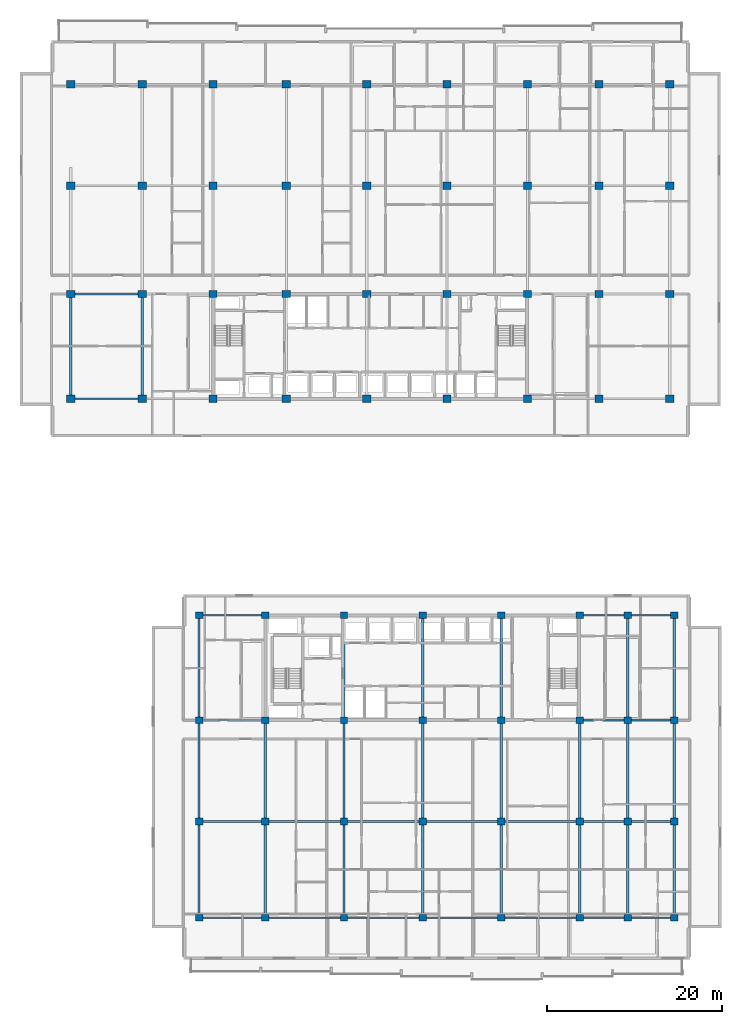
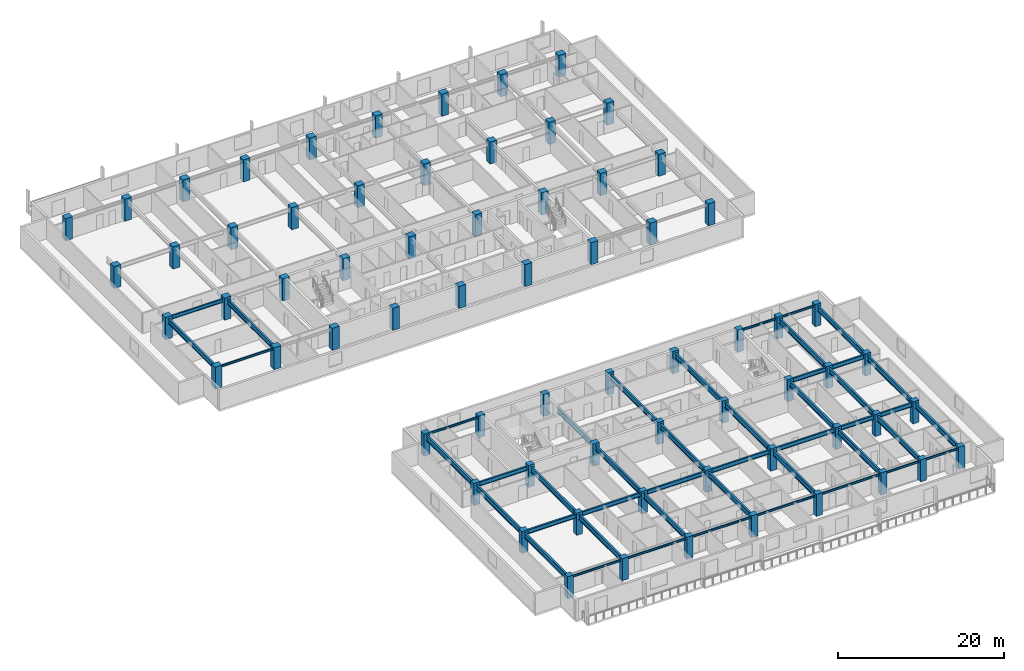
# One storey, part 1 of 22: 68 columns, 46 beams.
"""IFC4 building model written with IfcOpenShell, lengths in metres."""

from ifc_helpers import new_model, si_unit, direction, frame, origin, origin_2d, place, context, subcontext, project, spatial, rectangle, i_section, extrude, material, material_profile, profile_set, type_object, element, save


model = new_model("IFC4")

# Units and contexts
model_context = context("Model", 3, precision=1e-05, world=origin(), true_north=direction((0.0, 1.0)))
body_context = subcontext(model_context, "Body", "Model", "MODEL_VIEW")
ifc_project = project(units=[si_unit("LENGTHUNIT", "METRE"), si_unit("AREAUNIT", "SQUARE_METRE"), si_unit("VOLUMEUNIT", "CUBIC_METRE"), si_unit("PLANEANGLEUNIT", "RADIAN"), si_unit("MASSUNIT", "GRAM", prefix="KILO")], contexts=[model_context])

# Site, building, storey
site_placement = place(None, origin())
site = spatial("IfcSite", under=ifc_project, at=site_placement, CompositionType="ELEMENT")
building_placement = place(site_placement, origin())
building = spatial("IfcBuilding", under=site, at=building_placement, Name="Korimba Cascade Residences", CompositionType="ELEMENT")
storey_placement = place(building_placement, frame((0.0, 0.0, 90.550048828125)))
storey = spatial("IfcBuildingStorey", under=building, at=storey_placement, Name="L25", CompositionType="ELEMENT", Elevation=90.550048828125)

# Columns
ifc_material_1 = material(Name="Concrete C65/80", Category="concrete")
ifc_material_profile_1 = material_profile(ifc_material_1, rectangle(XDim=0.85009765625, YDim=0.75, at=origin_2d()), Name="Concrete C65/80")
ifc_profile_set_1 = profile_set([ifc_material_profile_1], Name="Concrete C65/80")
column_type_1 = type_object("IfcColumnType", Name="COL-RC-850", PredefinedType="COLUMN", material=ifc_profile_set_1)
for number, where, z_axis, x_axis, name in (
    (1, (74.5, -4.199951171875, 0.0), (0.0, 0.0, 1.0), (1.0, 0.0, 0.0), "L25 Tower 2 Column 1.1"),
    (2, (74.5, 6.800048828125, 0.0), (0.0, 0.0, 1.0), (1.0, 0.0, 0.0), "L25 Tower 2 Column 1.2"),
    (3, (74.5, 18.39990234375, 0.0), (0.0, 0.0, 1.0), (1.0, 0.0, 0.0), "L25 Tower 2 Column 1.3"),
    (4, (74.5, 30.39990234375, 0.0), (0.0, 0.0, 1.0), (1.0, 0.0, 0.0), "L25 Tower 2 Column 1.4"),
    (5, (82.10009765625, -4.199951171875, 0.0), (0.0, 0.0, 1.0), (1.0, 0.0, 0.0), "L25 Tower 2 Column 2.1"),
    (6, (82.10009765625, 6.800048828125, 0.0), (0.0, 0.0, 1.0), (1.0, 0.0, 0.0), "L25 Tower 2 Column 2.2"),
    (7, (82.10009765625, 18.39990234375, 0.0), (0.0, 0.0, 1.0), (1.0, 0.0, 0.0), "L25 Tower 2 Column 2.3"),
    (8, (82.10009765625, 30.39990234375, 0.0), (0.0, 0.0, 1.0), (1.0, 0.0, 0.0), "L25 Tower 2 Column 2.4"),
    (9, (91.10009765625, -4.199951171875, 0.0), (0.0, 0.0, 1.0), (1.0, 0.0, 0.0), "L25 Tower 2 Column 3.1"),
    (10, (91.10009765625, 6.800048828125, 0.0), (0.0, 0.0, 1.0), (1.0, 0.0, 0.0), "L25 Tower 2 Column 3.2"),
    (11, (91.10009765625, 18.39990234375, 0.0), (0.0, 0.0, 1.0), (1.0, 0.0, 0.0), "L25 Tower 2 Column 3.3"),
    (12, (91.10009765625, 30.39990234375, 0.0), (0.0, 0.0, 1.0), (1.0, 0.0, 0.0), "L25 Tower 2 Column 3.4"),
    (13, (100.10009765625, -4.199951171875, 0.0), (0.0, 0.0, 1.0), (1.0, 0.0, 0.0), "L25 Tower 2 Column 4.1"),
    (14, (100.10009765625, 6.800048828125, 0.0), (0.0, 0.0, 1.0), (1.0, 0.0, 0.0), "L25 Tower 2 Column 4.2"),
    (15, (100.10009765625, 18.39990234375, 0.0), (0.0, 0.0, 1.0), (1.0, 0.0, 0.0), "L25 Tower 2 Column 4.3"),
    (16, (100.10009765625, 30.39990234375, 0.0), (0.0, 0.0, 1.0), (1.0, 0.0, 0.0), "L25 Tower 2 Column 4.4"),
    (17, (109.10009765625, -4.199951171875, 0.0), (0.0, 0.0, 1.0), (1.0, 0.0, 0.0), "L25 Tower 2 Column 5.1"),
    (18, (109.10009765625, 6.800048828125, 0.0), (0.0, 0.0, 1.0), (1.0, 0.0, 0.0), "L25 Tower 2 Column 5.2"),
    (19, (109.10009765625, 18.39990234375, 0.0), (0.0, 0.0, 1.0), (1.0, 0.0, 0.0), "L25 Tower 2 Column 5.3"),
    (20, (109.10009765625, 30.39990234375, 0.0), (0.0, 0.0, 1.0), (1.0, 0.0, 0.0), "L25 Tower 2 Column 5.4"),
    (21, (118.10009765625, -4.199951171875, 0.0), (0.0, 0.0, 1.0), (1.0, 0.0, 0.0), "L25 Tower 2 Column 6.1"),
    (22, (118.10009765625, 6.800048828125, 0.0), (0.0, 0.0, 1.0), (1.0, 0.0, 0.0), "L25 Tower 2 Column 6.2"),
    (23, (118.10009765625, 18.39990234375, 0.0), (0.0, 0.0, 1.0), (1.0, 0.0, 0.0), "L25 Tower 2 Column 6.3"),
    (24, (118.10009765625, 30.39990234375, 0.0), (0.0, 0.0, 1.0), (1.0, 0.0, 0.0), "L25 Tower 2 Column 6.4"),
    (25, (123.60009765625, -4.199951171875, 0.0), (0.0, 0.0, 1.0), (1.0, 0.0, 0.0), "L25 Tower 2 Column 7.1"),
    (26, (123.60009765625, 6.800048828125, 0.0), (0.0, 0.0, 1.0), (1.0, 0.0, 0.0), "L25 Tower 2 Column 7.2"),
    (27, (123.60009765625, 18.39990234375, 0.0), (0.0, 0.0, 1.0), (1.0, 0.0, 0.0), "L25 Tower 2 Column 7.3"),
    (28, (123.60009765625, 30.39990234375, 0.0), (0.0, 0.0, 1.0), (1.0, 0.0, 0.0), "L25 Tower 2 Column 7.4"),
    (29, (128.89990234375, -4.199951171875, 0.0), (0.0, 0.0, 1.0), (1.0, 0.0, 0.0), "L25 Tower 2 Column 8.1"),
    (30, (128.89990234375, 6.800048828125, 0.0), (0.0, 0.0, 1.0), (1.0, 0.0, 0.0), "L25 Tower 2 Column 8.2"),
    (31, (128.89990234375, 18.39990234375, 0.0), (0.0, 0.0, 1.0), (1.0, 0.0, 0.0), "L25 Tower 2 Column 8.3"),
    (32, (128.89990234375, 30.39990234375, 0.0), (0.0, 0.0, 1.0), (1.0, 0.0, 0.0), "L25 Tower 2 Column 8.4"),
):
    element("IfcColumn", number, at=place(storey_placement, frame(where, z_axis=z_axis, x_axis=x_axis)), inside=storey, type_object=column_type_1, Name=name, PredefinedType="COLUMN", context=body_context, shape_type="SweptSolid", body=[
        extrude(rectangle(XDim=0.85009765625, YDim=0.75, at=origin_2d()), origin(), (0.0, 0.0, 1.0), 3.25),
    ])
ifc_material_profile_2 = material_profile(ifc_material_1, rectangle(XDim=0.949951171875, YDim=0.85009765625, at=origin_2d()), Name="Concrete C65/80")
ifc_profile_set_2 = profile_set([ifc_material_profile_2], Name="Concrete C65/80")
column_type_2 = type_object("IfcColumnType", Name="COL-RC-950", PredefinedType="COLUMN", material=ifc_profile_set_2)
for number, where, z_axis, x_axis, name in (
    (33, (59.800048828125, 55.199951171875, 0.0), (0.0, 0.0, 1.0), (1.0, 0.0, 0.0), "L25 Tower 1 Column 1.1"),
    (34, (59.800048828125, 67.199951171875, 0.0), (0.0, 0.0, 1.0), (1.0, 0.0, 0.0), "L25 Tower 1 Column 1.2"),
    (35, (59.800048828125, 79.60009765625, 0.0), (0.0, 0.0, 1.0), (1.0, 0.0, 0.0), "L25 Tower 1 Column 1.3"),
    (36, (59.800048828125, 91.199951171875, 0.0), (0.0, 0.0, 1.0), (1.0, 0.0, 0.0), "L25 Tower 1 Column 1.4"),
    (37, (68.0, 55.199951171875, 0.0), (0.0, 0.0, 1.0), (1.0, 0.0, 0.0), "L25 Tower 1 Column 2.1"),
    (38, (68.0, 67.199951171875, 0.0), (0.0, 0.0, 1.0), (1.0, 0.0, 0.0), "L25 Tower 1 Column 2.2"),
    (39, (68.0, 79.60009765625, 0.0), (0.0, 0.0, 1.0), (1.0, 0.0, 0.0), "L25 Tower 1 Column 2.3"),
    (40, (68.0, 91.199951171875, 0.0), (0.0, 0.0, 1.0), (1.0, 0.0, 0.0), "L25 Tower 1 Column 2.4"),
    (41, (76.10009765625, 55.199951171875, 0.0), (0.0, 0.0, 1.0), (1.0, 0.0, 0.0), "L25 Tower 1 Column 3.1"),
    (42, (76.10009765625, 67.199951171875, 0.0), (0.0, 0.0, 1.0), (1.0, 0.0, 0.0), "L25 Tower 1 Column 3.2"),
    (43, (76.10009765625, 79.60009765625, 0.0), (0.0, 0.0, 1.0), (1.0, 0.0, 0.0), "L25 Tower 1 Column 3.3"),
    (44, (76.10009765625, 91.199951171875, 0.0), (0.0, 0.0, 1.0), (1.0, 0.0, 0.0), "L25 Tower 1 Column 3.4"),
    (45, (84.5, 55.199951171875, 0.0), (0.0, 0.0, 1.0), (1.0, 0.0, 0.0), "L25 Tower 1 Column 4.1"),
    (46, (84.5, 67.199951171875, 0.0), (0.0, 0.0, 1.0), (1.0, 0.0, 0.0), "L25 Tower 1 Column 4.2"),
    (47, (84.5, 79.60009765625, 0.0), (0.0, 0.0, 1.0), (1.0, 0.0, 0.0), "L25 Tower 1 Column 4.3"),
    (48, (84.5, 91.199951171875, 0.0), (0.0, 0.0, 1.0), (1.0, 0.0, 0.0), "L25 Tower 1 Column 4.4"),
    (49, (93.699951171875, 55.199951171875, 0.0), (0.0, 0.0, 1.0), (1.0, 0.0, 0.0), "L25 Tower 1 Column 5.1"),
    (50, (93.699951171875, 67.199951171875, 0.0), (0.0, 0.0, 1.0), (1.0, 0.0, 0.0), "L25 Tower 1 Column 5.2"),
    (51, (93.699951171875, 79.60009765625, 0.0), (0.0, 0.0, 1.0), (1.0, 0.0, 0.0), "L25 Tower 1 Column 5.3"),
    (52, (93.699951171875, 91.199951171875, 0.0), (0.0, 0.0, 1.0), (1.0, 0.0, 0.0), "L25 Tower 1 Column 5.4"),
    (53, (102.89990234375, 55.199951171875, 0.0), (0.0, 0.0, 1.0), (1.0, 0.0, 0.0), "L25 Tower 1 Column 6.1"),
    (54, (102.89990234375, 67.199951171875, 0.0), (0.0, 0.0, 1.0), (1.0, 0.0, 0.0), "L25 Tower 1 Column 6.2"),
    (55, (102.89990234375, 79.60009765625, 0.0), (0.0, 0.0, 1.0), (1.0, 0.0, 0.0), "L25 Tower 1 Column 6.3"),
    (56, (102.89990234375, 91.199951171875, 0.0), (0.0, 0.0, 1.0), (1.0, 0.0, 0.0), "L25 Tower 1 Column 6.4"),
    (57, (112.10009765625, 55.199951171875, 0.0), (0.0, 0.0, 1.0), (1.0, 0.0, 0.0), "L25 Tower 1 Column 7.1"),
    (58, (112.10009765625, 67.199951171875, 0.0), (0.0, 0.0, 1.0), (1.0, 0.0, 0.0), "L25 Tower 1 Column 7.2"),
    (59, (112.10009765625, 79.60009765625, 0.0), (0.0, 0.0, 1.0), (1.0, 0.0, 0.0), "L25 Tower 1 Column 7.3"),
    (60, (112.10009765625, 91.199951171875, 0.0), (0.0, 0.0, 1.0), (1.0, 0.0, 0.0), "L25 Tower 1 Column 7.4"),
    (61, (120.300048828125, 55.199951171875, 0.0), (0.0, 0.0, 1.0), (1.0, 0.0, 0.0), "L25 Tower 1 Column 8.1"),
    (62, (120.300048828125, 67.199951171875, 0.0), (0.0, 0.0, 1.0), (1.0, 0.0, 0.0), "L25 Tower 1 Column 8.2"),
    (63, (120.300048828125, 79.60009765625, 0.0), (0.0, 0.0, 1.0), (1.0, 0.0, 0.0), "L25 Tower 1 Column 8.3"),
    (64, (120.300048828125, 91.199951171875, 0.0), (0.0, 0.0, 1.0), (1.0, 0.0, 0.0), "L25 Tower 1 Column 8.4"),
    (65, (128.39990234375, 55.199951171875, 0.0), (0.0, 0.0, 1.0), (1.0, 0.0, 0.0), "L25 Tower 1 Column 9.1"),
    (66, (128.39990234375, 67.199951171875, 0.0), (0.0, 0.0, 1.0), (1.0, 0.0, 0.0), "L25 Tower 1 Column 9.2"),
    (67, (128.39990234375, 79.60009765625, 0.0), (0.0, 0.0, 1.0), (1.0, 0.0, 0.0), "L25 Tower 1 Column 9.3"),
    (68, (128.39990234375, 91.199951171875, 0.0), (0.0, 0.0, 1.0), (1.0, 0.0, 0.0), "L25 Tower 1 Column 9.4"),
):
    element("IfcColumn", number, at=place(storey_placement, frame(where, z_axis=z_axis, x_axis=x_axis)), inside=storey, type_object=column_type_2, Name=name, PredefinedType="COLUMN", context=body_context, shape_type="SweptSolid", body=[
        extrude(rectangle(XDim=0.949951171875, YDim=0.85009765625, at=origin_2d()), origin(), (0.0, 0.0, 1.0), 3.25),
    ])

# Beams
ifc_material_2 = material(Name="Steel S355", Category="steel")
ifc_material_profile_3 = material_profile(ifc_material_2, i_section(OverallWidth=0.165771484375, OverallDepth=0.306640625, WebThickness=0.006591796875, FlangeThickness=0.01171875, FilletRadius=0.0087890625, at=origin_2d()), Name="Steel S355")
ifc_profile_set_3 = profile_set([ifc_material_profile_3], Name="Steel S355")
beam_type_1 = type_object("IfcBeamType", Name="BM-STL-UB305", PredefinedType="SPANDREL", material=ifc_profile_set_3)
beam_1_placement = place(storey_placement, frame((60.27490234375, 55.199951171875, 2.816650390625), z_axis=(1.0, 0.0, 0.0), x_axis=(0.0, 1.0, 0.0)))
element("IfcBeam", 69, at=beam_1_placement, inside=storey, type_object=beam_type_1, Name="L25 T1 E-W Girder Y1 Bay 1", PredefinedType="SPANDREL", context=body_context, shape_type="SweptSolid", body=[
    extrude(i_section(OverallWidth=0.165771484375, OverallDepth=0.306640625, WebThickness=0.006591796875, FlangeThickness=0.01171875, FilletRadius=0.0087890625, at=origin_2d()), origin(), (0.0, 0.0, 1.0), 7.25),
])
beam_2_placement = place(storey_placement, frame((74.925048828125, -4.199951171875, 2.816650390625), z_axis=(1.0, 0.0, 0.0), x_axis=(0.0, 1.0, 0.0)))
element("IfcBeam", 70, at=beam_2_placement, inside=storey, type_object=beam_type_1, Name="L25 T2 E-W Girder Y1 Bay 1", PredefinedType="SPANDREL", context=body_context, shape_type="SweptSolid", body=[
    extrude(i_section(OverallWidth=0.165771484375, OverallDepth=0.306640625, WebThickness=0.006591796875, FlangeThickness=0.01171875, FilletRadius=0.0087890625, at=origin_2d()), origin(), (0.0, 0.0, 1.0), 6.75),
])
for number, where, z_axis, x_axis, name in (
    (71, (82.52490234375, -4.199951171875, 2.816650390625), (1.0, 0.0, 0.0), (0.0, 1.0, 0.0), "L25 T2 E-W Girder Y1 Bay 2"),
    (72, (91.52490234375, -4.199951171875, 2.816650390625), (1.0, 0.0, 0.0), (0.0, 1.0, 0.0), "L25 T2 E-W Girder Y1 Bay 3"),
    (73, (100.52490234375, -4.199951171875, 2.816650390625), (1.0, 0.0, 0.0), (0.0, 1.0, 0.0), "L25 T2 E-W Girder Y1 Bay 4"),
    (74, (109.52490234375, -4.199951171875, 2.816650390625), (1.0, 0.0, 0.0), (0.0, 1.0, 0.0), "L25 T2 E-W Girder Y1 Bay 5"),
):
    element("IfcBeam", number, at=place(storey_placement, frame(where, z_axis=z_axis, x_axis=x_axis)), inside=storey, type_object=beam_type_1, Name=name, PredefinedType="SPANDREL", context=body_context, shape_type="SweptSolid", body=[
        extrude(i_section(OverallWidth=0.165771484375, OverallDepth=0.306640625, WebThickness=0.006591796875, FlangeThickness=0.01171875, FilletRadius=0.0087890625, at=origin_2d()), origin(), (0.0, 0.0, 1.0), 8.150146484375),
    ])
beam_3_placement = place(storey_placement, frame((118.52490234375, -4.199951171875, 2.816650390625), z_axis=(1.0, 0.0, 0.0), x_axis=(0.0, 1.0, 0.0)))
element("IfcBeam", 75, at=beam_3_placement, inside=storey, type_object=beam_type_1, Name="L25 T2 E-W Girder Y1 Bay 6", PredefinedType="SPANDREL", context=body_context, shape_type="SweptSolid", body=[
    extrude(i_section(OverallWidth=0.165771484375, OverallDepth=0.306640625, WebThickness=0.006591796875, FlangeThickness=0.01171875, FilletRadius=0.0087890625, at=origin_2d()), origin(), (0.0, 0.0, 1.0), 4.650146484375),
])
beam_4_placement = place(storey_placement, frame((124.02490234375, -4.199951171875, 2.816650390625), z_axis=(1.0, 0.0, 0.0), x_axis=(0.0, 1.0, 0.0)))
element("IfcBeam", 76, at=beam_4_placement, inside=storey, type_object=beam_type_1, Name="L25 T2 E-W Girder Y1 Bay 7", PredefinedType="SPANDREL", context=body_context, shape_type="SweptSolid", body=[
    extrude(i_section(OverallWidth=0.165771484375, OverallDepth=0.306640625, WebThickness=0.006591796875, FlangeThickness=0.01171875, FilletRadius=0.0087890625, at=origin_2d()), origin(), (0.0, 0.0, 1.0), 4.4501953125),
])
beam_5_placement = place(storey_placement, frame((74.925048828125, 30.39990234375, 2.816650390625), z_axis=(1.0, 0.0, 0.0), x_axis=(0.0, 1.0, 0.0)))
element("IfcBeam", 77, at=beam_5_placement, inside=storey, type_object=beam_type_1, Name="L25 T2 E-W Girder Y4 Bay 1", PredefinedType="SPANDREL", context=body_context, shape_type="SweptSolid", body=[
    extrude(i_section(OverallWidth=0.165771484375, OverallDepth=0.306640625, WebThickness=0.006591796875, FlangeThickness=0.01171875, FilletRadius=0.0087890625, at=origin_2d()), origin(), (0.0, 0.0, 1.0), 6.75),
])
beam_6_placement = place(storey_placement, frame((118.52490234375, 30.39990234375, 2.816650390625), z_axis=(1.0, 0.0, 0.0), x_axis=(0.0, 1.0, 0.0)))
element("IfcBeam", 78, at=beam_6_placement, inside=storey, type_object=beam_type_1, Name="L25 T2 E-W Girder Y4 Bay 6", PredefinedType="SPANDREL", context=body_context, shape_type="SweptSolid", body=[
    extrude(i_section(OverallWidth=0.165771484375, OverallDepth=0.306640625, WebThickness=0.006591796875, FlangeThickness=0.01171875, FilletRadius=0.0087890625, at=origin_2d()), origin(), (0.0, 0.0, 1.0), 4.650146484375),
])
beam_7_placement = place(storey_placement, frame((124.02490234375, 30.39990234375, 2.816650390625), z_axis=(1.0, 0.0, 0.0), x_axis=(0.0, 1.0, 0.0)))
element("IfcBeam", 79, at=beam_7_placement, inside=storey, type_object=beam_type_1, Name="L25 T2 E-W Girder Y4 Bay 7", PredefinedType="SPANDREL", context=body_context, shape_type="SweptSolid", body=[
    extrude(i_section(OverallWidth=0.165771484375, OverallDepth=0.306640625, WebThickness=0.006591796875, FlangeThickness=0.01171875, FilletRadius=0.0087890625, at=origin_2d()), origin(), (0.0, 0.0, 1.0), 4.4501953125),
])
ifc_material_profile_4 = material_profile(ifc_material_2, i_section(OverallWidth=0.2099609375, OverallDepth=0.53662109375, WebThickness=0.0107421875, FlangeThickness=0.017333984375, FilletRadius=0.0126953125, at=origin_2d()), Name="Steel S355")
ifc_profile_set_4 = profile_set([ifc_material_profile_4], Name="Steel S355")
beam_type_2 = type_object("IfcBeamType", Name="BM-STL-UB533", PredefinedType="BEAM", material=ifc_profile_set_4)
beam_8_placement = place(storey_placement, frame((60.27490234375, 67.199951171875, 2.70166015625), z_axis=(1.0, 0.0, 0.0), x_axis=(0.0, 1.0, 0.0)))
element("IfcBeam", 80, at=beam_8_placement, inside=storey, type_object=beam_type_2, Name="L25 T1 E-W Girder Y2 Bay 1", PredefinedType="BEAM", context=body_context, shape_type="SweptSolid", body=[
    extrude(i_section(OverallWidth=0.2099609375, OverallDepth=0.53662109375, WebThickness=0.0107421875, FlangeThickness=0.017333984375, FilletRadius=0.0126953125, at=origin_2d()), origin(), (0.0, 0.0, 1.0), 7.25),
])
ifc_material_profile_5 = material_profile(ifc_material_2, i_section(OverallWidth=0.22900390625, OverallDepth=0.6123046875, WebThickness=0.011962890625, FlangeThickness=0.01953125, FilletRadius=0.0126953125, at=origin_2d()), Name="Steel S355")
ifc_profile_set_5 = profile_set([ifc_material_profile_5], Name="Steel S355")
beam_type_3 = type_object("IfcBeamType", Name="BM-STL-UB610B", PredefinedType="BEAM", material=ifc_profile_set_5)
beam_9_placement = place(storey_placement, frame((74.925048828125, 6.800048828125, 2.663818359375), z_axis=(1.0, 0.0, 0.0), x_axis=(0.0, 1.0, 0.0)))
element("IfcBeam", 81, at=beam_9_placement, inside=storey, type_object=beam_type_3, Name="L25 T2 E-W Girder Y2 Bay 1", PredefinedType="BEAM", context=body_context, shape_type="SweptSolid", body=[
    extrude(i_section(OverallWidth=0.22900390625, OverallDepth=0.6123046875, WebThickness=0.011962890625, FlangeThickness=0.01953125, FilletRadius=0.0126953125, at=origin_2d()), origin(), (0.0, 0.0, 1.0), 6.75),
])
for number, where, z_axis, x_axis, name in (
    (82, (82.52490234375, 6.800048828125, 2.663818359375), (1.0, 0.0, 0.0), (0.0, 1.0, 0.0), "L25 T2 E-W Girder Y2 Bay 2"),
    (83, (91.52490234375, 6.800048828125, 2.663818359375), (1.0, 0.0, 0.0), (0.0, 1.0, 0.0), "L25 T2 E-W Girder Y2 Bay 3"),
    (84, (100.52490234375, 6.800048828125, 2.663818359375), (1.0, 0.0, 0.0), (0.0, 1.0, 0.0), "L25 T2 E-W Girder Y2 Bay 4"),
    (85, (109.52490234375, 6.800048828125, 2.663818359375), (1.0, 0.0, 0.0), (0.0, 1.0, 0.0), "L25 T2 E-W Girder Y2 Bay 5"),
):
    element("IfcBeam", number, at=place(storey_placement, frame(where, z_axis=z_axis, x_axis=x_axis)), inside=storey, type_object=beam_type_3, Name=name, PredefinedType="BEAM", context=body_context, shape_type="SweptSolid", body=[
        extrude(i_section(OverallWidth=0.22900390625, OverallDepth=0.6123046875, WebThickness=0.011962890625, FlangeThickness=0.01953125, FilletRadius=0.0126953125, at=origin_2d()), origin(), (0.0, 0.0, 1.0), 8.150146484375),
    ])
beam_10_placement = place(storey_placement, frame((118.52490234375, 6.800048828125, 2.663818359375), z_axis=(1.0, 0.0, 0.0), x_axis=(0.0, 1.0, 0.0)))
element("IfcBeam", 86, at=beam_10_placement, inside=storey, type_object=beam_type_3, Name="L25 T2 E-W Girder Y2 Bay 6", PredefinedType="BEAM", context=body_context, shape_type="SweptSolid", body=[
    extrude(i_section(OverallWidth=0.22900390625, OverallDepth=0.6123046875, WebThickness=0.011962890625, FlangeThickness=0.01953125, FilletRadius=0.0126953125, at=origin_2d()), origin(), (0.0, 0.0, 1.0), 4.650146484375),
])
beam_11_placement = place(storey_placement, frame((124.02490234375, 6.800048828125, 2.663818359375), z_axis=(1.0, 0.0, 0.0), x_axis=(0.0, 1.0, 0.0)))
element("IfcBeam", 87, at=beam_11_placement, inside=storey, type_object=beam_type_3, Name="L25 T2 E-W Girder Y2 Bay 7", PredefinedType="BEAM", context=body_context, shape_type="SweptSolid", body=[
    extrude(i_section(OverallWidth=0.22900390625, OverallDepth=0.6123046875, WebThickness=0.011962890625, FlangeThickness=0.01953125, FilletRadius=0.0126953125, at=origin_2d()), origin(), (0.0, 0.0, 1.0), 4.4501953125),
])
beam_12_placement = place(storey_placement, frame((74.925048828125, 18.39990234375, 2.663818359375), z_axis=(1.0, 0.0, 0.0), x_axis=(0.0, 1.0, 0.0)))
element("IfcBeam", 88, at=beam_12_placement, inside=storey, type_object=beam_type_3, Name="L25 T2 E-W Girder Y3 Bay 1", PredefinedType="BEAM", context=body_context, shape_type="SweptSolid", body=[
    extrude(i_section(OverallWidth=0.22900390625, OverallDepth=0.6123046875, WebThickness=0.011962890625, FlangeThickness=0.01953125, FilletRadius=0.0126953125, at=origin_2d()), origin(), (0.0, 0.0, 1.0), 6.75),
])
beam_13_placement = place(storey_placement, frame((118.52490234375, 18.39990234375, 2.663818359375), z_axis=(1.0, 0.0, 0.0), x_axis=(0.0, 1.0, 0.0)))
element("IfcBeam", 89, at=beam_13_placement, inside=storey, type_object=beam_type_3, Name="L25 T2 E-W Girder Y3 Bay 6", PredefinedType="BEAM", context=body_context, shape_type="SweptSolid", body=[
    extrude(i_section(OverallWidth=0.22900390625, OverallDepth=0.6123046875, WebThickness=0.011962890625, FlangeThickness=0.01953125, FilletRadius=0.0126953125, at=origin_2d()), origin(), (0.0, 0.0, 1.0), 4.650146484375),
])
beam_14_placement = place(storey_placement, frame((124.02490234375, 18.39990234375, 2.663818359375), z_axis=(1.0, 0.0, 0.0), x_axis=(0.0, 1.0, 0.0)))
element("IfcBeam", 90, at=beam_14_placement, inside=storey, type_object=beam_type_3, Name="L25 T2 E-W Girder Y3 Bay 7", PredefinedType="BEAM", context=body_context, shape_type="SweptSolid", body=[
    extrude(i_section(OverallWidth=0.22900390625, OverallDepth=0.6123046875, WebThickness=0.011962890625, FlangeThickness=0.01953125, FilletRadius=0.0126953125, at=origin_2d()), origin(), (0.0, 0.0, 1.0), 4.4501953125),
])
ifc_material_profile_6 = material_profile(ifc_material_2, i_section(OverallWidth=0.255859375, OverallDepth=0.69287109375, WebThickness=0.014404296875, FlangeThickness=0.023681640625, FilletRadius=0.01513671875, at=origin_2d()), Name="Steel S355")
ifc_profile_set_6 = profile_set([ifc_material_profile_6], Name="Steel S355")
beam_type_4 = type_object("IfcBeamType", Name="BM-STL-UB686", PredefinedType="BEAM", material=ifc_profile_set_6)
for number, where, z_axis, x_axis, name in (
    (91, (59.800048828125, 55.625, 2.62353515625), (0.0, 1.0, 0.0), (-1.0, 0.0, 0.0), "L25 T1 N-S Girder X1 Seg 1"),
    (92, (68.0, 55.625, 2.62353515625), (0.0, 1.0, 0.0), (-1.0, 0.0, 0.0), "L25 T1 N-S Girder X2 Seg 1"),
):
    element("IfcBeam", number, at=place(storey_placement, frame(where, z_axis=z_axis, x_axis=x_axis)), inside=storey, type_object=beam_type_4, Name=name, PredefinedType="BEAM", context=body_context, shape_type="SweptSolid", body=[
        extrude(i_section(OverallWidth=0.255859375, OverallDepth=0.69287109375, WebThickness=0.014404296875, FlangeThickness=0.023681640625, FilletRadius=0.01513671875, at=origin_2d()), origin(), (0.0, 0.0, 1.0), 11.14990234375),
    ])
ifc_material_profile_7 = material_profile(ifc_material_2, i_section(OverallWidth=0.26806640625, OverallDepth=0.769775390625, WebThickness=0.015625, FlangeThickness=0.025390625, FilletRadius=0.0166015625, at=origin_2d()), Name="Steel S355")
ifc_profile_set_7 = profile_set([ifc_material_profile_7], Name="Steel S355")
beam_type_5 = type_object("IfcBeamType", Name="BM-STL-UB762", PredefinedType="BEAM", material=ifc_profile_set_7)
beam_15_placement = place(storey_placement, frame((74.5, -3.824951171875, 2.5849609375), z_axis=(0.0, 1.0, 0.0), x_axis=(-1.0, 0.0, 0.0)))
element("IfcBeam", 93, at=beam_15_placement, inside=storey, type_object=beam_type_5, Name="L25 T2 N-S Girder X1 Seg 1", PredefinedType="BEAM", context=body_context, shape_type="SweptSolid", body=[
    extrude(i_section(OverallWidth=0.26806640625, OverallDepth=0.769775390625, WebThickness=0.015625, FlangeThickness=0.025390625, FilletRadius=0.0166015625, at=origin_2d()), origin(), (0.0, 0.0, 1.0), 10.25),
])
beam_16_placement = place(storey_placement, frame((74.5, 7.175048828125, 2.5849609375), z_axis=(0.0, 1.0, 0.0), x_axis=(-1.0, 0.0, 0.0)))
element("IfcBeam", 94, at=beam_16_placement, inside=storey, type_object=beam_type_5, Name="L25 T2 N-S Girder X1 Seg 2", PredefinedType="BEAM", context=body_context, shape_type="SweptSolid", body=[
    extrude(i_section(OverallWidth=0.26806640625, OverallDepth=0.769775390625, WebThickness=0.015625, FlangeThickness=0.025390625, FilletRadius=0.0166015625, at=origin_2d()), origin(), (0.0, 0.0, 1.0), 10.849853515625),
])
beam_17_placement = place(storey_placement, frame((74.5, 18.77490234375, 2.5849609375), z_axis=(0.0, 1.0, 0.0), x_axis=(-1.0, 0.0, 0.0)))
element("IfcBeam", 95, at=beam_17_placement, inside=storey, type_object=beam_type_5, Name="L25 T2 N-S Girder X1 Seg 3", PredefinedType="BEAM", context=body_context, shape_type="SweptSolid", body=[
    extrude(i_section(OverallWidth=0.26806640625, OverallDepth=0.769775390625, WebThickness=0.015625, FlangeThickness=0.025390625, FilletRadius=0.0166015625, at=origin_2d()), origin(), (0.0, 0.0, 1.0), 11.25),
])
beam_18_placement = place(storey_placement, frame((82.10009765625, -3.824951171875, 2.5849609375), z_axis=(0.0, 1.0, 0.0), x_axis=(-1.0, 0.0, 0.0)))
element("IfcBeam", 96, at=beam_18_placement, inside=storey, type_object=beam_type_5, Name="L25 T2 N-S Girder X2 Seg 1", PredefinedType="BEAM", context=body_context, shape_type="SweptSolid", body=[
    extrude(i_section(OverallWidth=0.26806640625, OverallDepth=0.769775390625, WebThickness=0.015625, FlangeThickness=0.025390625, FilletRadius=0.0166015625, at=origin_2d()), origin(), (0.0, 0.0, 1.0), 10.25),
])
beam_19_placement = place(storey_placement, frame((82.10009765625, 7.175048828125, 2.5849609375), z_axis=(0.0, 1.0, 0.0), x_axis=(-1.0, 0.0, 0.0)))
element("IfcBeam", 97, at=beam_19_placement, inside=storey, type_object=beam_type_5, Name="L25 T2 N-S Girder X2 Seg 2", PredefinedType="BEAM", context=body_context, shape_type="SweptSolid", body=[
    extrude(i_section(OverallWidth=0.26806640625, OverallDepth=0.769775390625, WebThickness=0.015625, FlangeThickness=0.025390625, FilletRadius=0.0166015625, at=origin_2d()), origin(), (0.0, 0.0, 1.0), 10.849853515625),
])
beam_20_placement = place(storey_placement, frame((91.10009765625, -3.824951171875, 2.5849609375), z_axis=(0.0, 1.0, 0.0), x_axis=(-1.0, 0.0, 0.0)))
element("IfcBeam", 98, at=beam_20_placement, inside=storey, type_object=beam_type_5, Name="L25 T2 N-S Girder X3 Seg 1", PredefinedType="BEAM", context=body_context, shape_type="SweptSolid", body=[
    extrude(i_section(OverallWidth=0.26806640625, OverallDepth=0.769775390625, WebThickness=0.015625, FlangeThickness=0.025390625, FilletRadius=0.0166015625, at=origin_2d()), origin(), (0.0, 0.0, 1.0), 10.25),
])
beam_21_placement = place(storey_placement, frame((91.10009765625, 7.175048828125, 2.5849609375), z_axis=(0.0, 1.0, 0.0), x_axis=(-1.0, 0.0, 0.0)))
element("IfcBeam", 99, at=beam_21_placement, inside=storey, type_object=beam_type_5, Name="L25 T2 N-S Girder X3 Seg 2", PredefinedType="BEAM", context=body_context, shape_type="SweptSolid", body=[
    extrude(i_section(OverallWidth=0.26806640625, OverallDepth=0.769775390625, WebThickness=0.015625, FlangeThickness=0.025390625, FilletRadius=0.0166015625, at=origin_2d()), origin(), (0.0, 0.0, 1.0), 10.849853515625),
])
beam_22_placement = place(storey_placement, frame((91.10009765625, 18.77490234375, 2.5849609375), z_axis=(0.0, 1.0, 0.0), x_axis=(-1.0, 0.0, 0.0)))
element("IfcBeam", 100, at=beam_22_placement, inside=storey, type_object=beam_type_5, Name="L25 T2 N-S Girder X3 Seg 3", PredefinedType="BEAM", context=body_context, shape_type="SweptSolid", body=[
    extrude(i_section(OverallWidth=0.26806640625, OverallDepth=0.769775390625, WebThickness=0.015625, FlangeThickness=0.025390625, FilletRadius=0.0166015625, at=origin_2d()), origin(), (0.0, 0.0, 1.0), 8.565185546875),
])
beam_23_placement = place(storey_placement, frame((100.10009765625, -3.824951171875, 2.5849609375), z_axis=(0.0, 1.0, 0.0), x_axis=(-1.0, 0.0, 0.0)))
element("IfcBeam", 101, at=beam_23_placement, inside=storey, type_object=beam_type_5, Name="L25 T2 N-S Girder X4 Seg 1", PredefinedType="BEAM", context=body_context, shape_type="SweptSolid", body=[
    extrude(i_section(OverallWidth=0.26806640625, OverallDepth=0.769775390625, WebThickness=0.015625, FlangeThickness=0.025390625, FilletRadius=0.0166015625, at=origin_2d()), origin(), (0.0, 0.0, 1.0), 10.25),
])
beam_24_placement = place(storey_placement, frame((100.10009765625, 7.175048828125, 2.5849609375), z_axis=(0.0, 1.0, 0.0), x_axis=(-1.0, 0.0, 0.0)))
element("IfcBeam", 102, at=beam_24_placement, inside=storey, type_object=beam_type_5, Name="L25 T2 N-S Girder X4 Seg 2", PredefinedType="BEAM", context=body_context, shape_type="SweptSolid", body=[
    extrude(i_section(OverallWidth=0.26806640625, OverallDepth=0.769775390625, WebThickness=0.015625, FlangeThickness=0.025390625, FilletRadius=0.0166015625, at=origin_2d()), origin(), (0.0, 0.0, 1.0), 10.849853515625),
])
beam_25_placement = place(storey_placement, frame((100.10009765625, 18.77490234375, 2.5849609375), z_axis=(0.0, 1.0, 0.0), x_axis=(-1.0, 0.0, 0.0)))
element("IfcBeam", 103, at=beam_25_placement, inside=storey, type_object=beam_type_5, Name="L25 T2 N-S Girder X4 Seg 3", PredefinedType="BEAM", context=body_context, shape_type="SweptSolid", body=[
    extrude(i_section(OverallWidth=0.26806640625, OverallDepth=0.769775390625, WebThickness=0.015625, FlangeThickness=0.025390625, FilletRadius=0.0166015625, at=origin_2d()), origin(), (0.0, 0.0, 1.0), 11.25),
])
beam_26_placement = place(storey_placement, frame((109.10009765625, -3.824951171875, 2.5849609375), z_axis=(0.0, 1.0, 0.0), x_axis=(-1.0, 0.0, 0.0)))
element("IfcBeam", 104, at=beam_26_placement, inside=storey, type_object=beam_type_5, Name="L25 T2 N-S Girder X5 Seg 1", PredefinedType="BEAM", context=body_context, shape_type="SweptSolid", body=[
    extrude(i_section(OverallWidth=0.26806640625, OverallDepth=0.769775390625, WebThickness=0.015625, FlangeThickness=0.025390625, FilletRadius=0.0166015625, at=origin_2d()), origin(), (0.0, 0.0, 1.0), 10.25),
])
beam_27_placement = place(storey_placement, frame((109.10009765625, 7.175048828125, 2.5849609375), z_axis=(0.0, 1.0, 0.0), x_axis=(-1.0, 0.0, 0.0)))
element("IfcBeam", 105, at=beam_27_placement, inside=storey, type_object=beam_type_5, Name="L25 T2 N-S Girder X5 Seg 2", PredefinedType="BEAM", context=body_context, shape_type="SweptSolid", body=[
    extrude(i_section(OverallWidth=0.26806640625, OverallDepth=0.769775390625, WebThickness=0.015625, FlangeThickness=0.025390625, FilletRadius=0.0166015625, at=origin_2d()), origin(), (0.0, 0.0, 1.0), 10.849853515625),
])
beam_28_placement = place(storey_placement, frame((109.10009765625, 18.77490234375, 2.5849609375), z_axis=(0.0, 1.0, 0.0), x_axis=(-1.0, 0.0, 0.0)))
element("IfcBeam", 106, at=beam_28_placement, inside=storey, type_object=beam_type_5, Name="L25 T2 N-S Girder X5 Seg 3", PredefinedType="BEAM", context=body_context, shape_type="SweptSolid", body=[
    extrude(i_section(OverallWidth=0.26806640625, OverallDepth=0.769775390625, WebThickness=0.015625, FlangeThickness=0.025390625, FilletRadius=0.0166015625, at=origin_2d()), origin(), (0.0, 0.0, 1.0), 11.25),
])
beam_29_placement = place(storey_placement, frame((118.10009765625, -3.824951171875, 2.5849609375), z_axis=(0.0, 1.0, 0.0), x_axis=(-1.0, 0.0, 0.0)))
element("IfcBeam", 107, at=beam_29_placement, inside=storey, type_object=beam_type_5, Name="L25 T2 N-S Girder X6 Seg 1", PredefinedType="BEAM", context=body_context, shape_type="SweptSolid", body=[
    extrude(i_section(OverallWidth=0.26806640625, OverallDepth=0.769775390625, WebThickness=0.015625, FlangeThickness=0.025390625, FilletRadius=0.0166015625, at=origin_2d()), origin(), (0.0, 0.0, 1.0), 10.25),
])
beam_30_placement = place(storey_placement, frame((118.10009765625, 7.175048828125, 2.5849609375), z_axis=(0.0, 1.0, 0.0), x_axis=(-1.0, 0.0, 0.0)))
element("IfcBeam", 108, at=beam_30_placement, inside=storey, type_object=beam_type_5, Name="L25 T2 N-S Girder X6 Seg 2", PredefinedType="BEAM", context=body_context, shape_type="SweptSolid", body=[
    extrude(i_section(OverallWidth=0.26806640625, OverallDepth=0.769775390625, WebThickness=0.015625, FlangeThickness=0.025390625, FilletRadius=0.0166015625, at=origin_2d()), origin(), (0.0, 0.0, 1.0), 10.849853515625),
])
beam_31_placement = place(storey_placement, frame((123.60009765625, -3.824951171875, 2.5849609375), z_axis=(0.0, 1.0, 0.0), x_axis=(-1.0, 0.0, 0.0)))
element("IfcBeam", 109, at=beam_31_placement, inside=storey, type_object=beam_type_5, Name="L25 T2 N-S Girder X7 Seg 1", PredefinedType="BEAM", context=body_context, shape_type="SweptSolid", body=[
    extrude(i_section(OverallWidth=0.26806640625, OverallDepth=0.769775390625, WebThickness=0.015625, FlangeThickness=0.025390625, FilletRadius=0.0166015625, at=origin_2d()), origin(), (0.0, 0.0, 1.0), 10.25),
])
beam_32_placement = place(storey_placement, frame((123.60009765625, 7.175048828125, 2.5849609375), z_axis=(0.0, 1.0, 0.0), x_axis=(-1.0, 0.0, 0.0)))
element("IfcBeam", 110, at=beam_32_placement, inside=storey, type_object=beam_type_5, Name="L25 T2 N-S Girder X7 Seg 2", PredefinedType="BEAM", context=body_context, shape_type="SweptSolid", body=[
    extrude(i_section(OverallWidth=0.26806640625, OverallDepth=0.769775390625, WebThickness=0.015625, FlangeThickness=0.025390625, FilletRadius=0.0166015625, at=origin_2d()), origin(), (0.0, 0.0, 1.0), 10.849853515625),
])
beam_33_placement = place(storey_placement, frame((123.60009765625, 18.77490234375, 2.5849609375), z_axis=(0.0, 1.0, 0.0), x_axis=(-1.0, 0.0, 0.0)))
element("IfcBeam", 111, at=beam_33_placement, inside=storey, type_object=beam_type_5, Name="L25 T2 N-S Girder X7 Seg 3", PredefinedType="BEAM", context=body_context, shape_type="SweptSolid", body=[
    extrude(i_section(OverallWidth=0.26806640625, OverallDepth=0.769775390625, WebThickness=0.015625, FlangeThickness=0.025390625, FilletRadius=0.0166015625, at=origin_2d()), origin(), (0.0, 0.0, 1.0), 11.25),
])
beam_34_placement = place(storey_placement, frame((128.89990234375, -3.824951171875, 2.5849609375), z_axis=(0.0, 1.0, 0.0), x_axis=(-1.0, 0.0, 0.0)))
element("IfcBeam", 112, at=beam_34_placement, inside=storey, type_object=beam_type_5, Name="L25 T2 N-S Girder X8 Seg 1", PredefinedType="BEAM", context=body_context, shape_type="SweptSolid", body=[
    extrude(i_section(OverallWidth=0.26806640625, OverallDepth=0.769775390625, WebThickness=0.015625, FlangeThickness=0.025390625, FilletRadius=0.0166015625, at=origin_2d()), origin(), (0.0, 0.0, 1.0), 10.25),
])
beam_35_placement = place(storey_placement, frame((128.89990234375, 7.175048828125, 2.5849609375), z_axis=(0.0, 1.0, 0.0), x_axis=(-1.0, 0.0, 0.0)))
element("IfcBeam", 113, at=beam_35_placement, inside=storey, type_object=beam_type_5, Name="L25 T2 N-S Girder X8 Seg 2", PredefinedType="BEAM", context=body_context, shape_type="SweptSolid", body=[
    extrude(i_section(OverallWidth=0.26806640625, OverallDepth=0.769775390625, WebThickness=0.015625, FlangeThickness=0.025390625, FilletRadius=0.0166015625, at=origin_2d()), origin(), (0.0, 0.0, 1.0), 10.849853515625),
])
beam_36_placement = place(storey_placement, frame((128.89990234375, 18.77490234375, 2.5849609375), z_axis=(0.0, 1.0, 0.0), x_axis=(-1.0, 0.0, 0.0)))
element("IfcBeam", 114, at=beam_36_placement, inside=storey, type_object=beam_type_5, Name="L25 T2 N-S Girder X8 Seg 3", PredefinedType="BEAM", context=body_context, shape_type="SweptSolid", body=[
    extrude(i_section(OverallWidth=0.26806640625, OverallDepth=0.769775390625, WebThickness=0.015625, FlangeThickness=0.025390625, FilletRadius=0.0166015625, at=origin_2d()), origin(), (0.0, 0.0, 1.0), 11.25),
])

save(model, "model.ifc")
